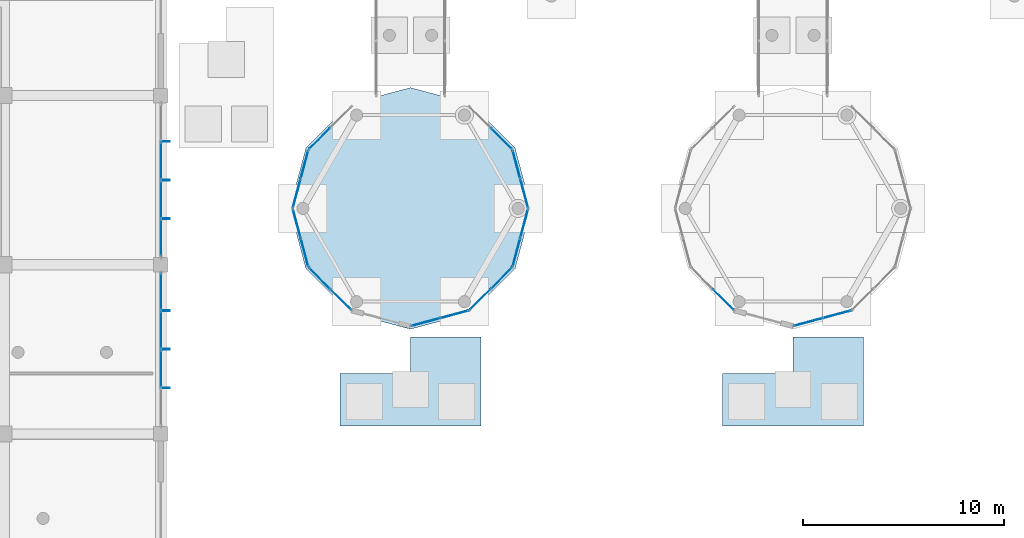
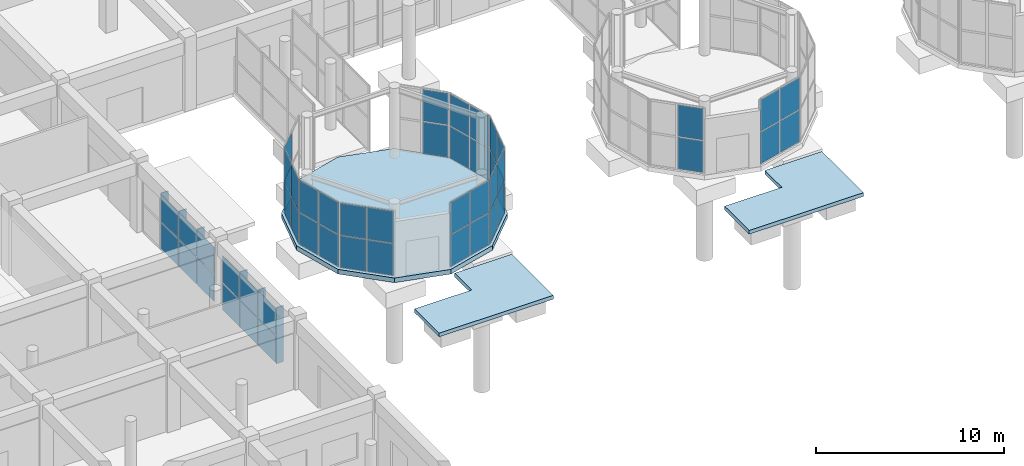
# One storey, part 110 of 139: 56 plates, 3 slabs, 13 elements without a shape of their own.
"""IFC4 building model written with IfcOpenShell, lengths in metres."""

from ifc_helpers import new_model, si_unit, direction, frame, origin, origin_2d, place, context, subcontext, project, spatial, polyline, rectangle, outline, extrude, material, layer, layer_set, type_object, element, aggregate, save


model = new_model("IFC4")

# Units and contexts
model_context = context("Model", 3, precision=1e-05, world=origin(), true_north=direction((0.0, 1.0)))
body_context = subcontext(model_context, "Body", "Model", "MODEL_VIEW")
ifc_project = project(units=[si_unit("LENGTHUNIT", "METRE"), si_unit("AREAUNIT", "SQUARE_METRE"), si_unit("VOLUMEUNIT", "CUBIC_METRE"), si_unit("PLANEANGLEUNIT", "RADIAN"), si_unit("MASSUNIT", "GRAM", prefix="KILO")], contexts=[model_context])

# Site, building, storey
site_placement = place(None, origin())
site = spatial("IfcSite", under=ifc_project, at=site_placement, CompositionType="ELEMENT")
building_placement = place(site_placement, origin())
building = spatial("IfcBuilding", under=site, at=building_placement, Name="Zizhar Promenade General Hospital", CompositionType="ELEMENT")
storey_placement = place(building_placement, origin())
storey = spatial("IfcBuildingStorey", under=building, at=storey_placement, Name="L00", CompositionType="ELEMENT", Elevation=0.0)

# Curtain wall, plates
ifc_material_1 = material(Name="Anodised aluminium 6063-T6 and low-E glass", Category="aluminium")
ifc_layer_1 = layer(ifc_material_1, 0.159912109375)
ifc_layer_set_1 = layer_set([ifc_layer_1], Name="Anodised aluminium 6063-T6 and low-E glass")
curtain_wall_type_1 = type_object("IfcCurtainWallType", Name="CW-HALL-S", PredefinedType="NOTDEFINED", material=ifc_layer_set_1)
curtain_wall_1_placement = place(storey_placement, origin())
curtain_wall_1 = element("IfcCurtainWall", 1, at=curtain_wall_1_placement, inside=storey, type_object=curtain_wall_type_1, Name="Forecourt Arrival Glazed Curtain Wall L00-2", PredefinedType="NOTDEFINED")
ifc_material_2 = material(Name="Low-E solar-control glass", Category="glass")
ifc_layer_2 = layer(ifc_material_2, 0.031982421875)
ifc_layer_set_2 = layer_set([ifc_layer_2], Name="Low-E solar-control glass")
plate_type_1 = type_object("IfcPlateType", Name="CWP-GLZ-32", PredefinedType="CURTAIN_PANEL", material=ifc_layer_set_2)
plate_1_placement = place(storey_placement, frame((132.60009765625, 23.860107421875, 0.06005859375), z_axis=(0.0, 0.0, 1.0), x_axis=(0.0, -1.0, 0.0)))
plate_1 = element("IfcPlate", 2, at=plate_1_placement, type_object=plate_type_1, Name="CW-01 panel 1.1", PredefinedType="CURTAIN_PANEL", context=body_context, shape_type="SweptSolid", body=[
    extrude(rectangle(XDim=1.800048828125, YDim=0.031982421875, at=origin_2d()), origin(), (0.0, 0.0, 1.0), 1.72509765625),
])
plate_2_placement = place(storey_placement, frame((132.60009765625, 23.860107421875, 1.844970703125), z_axis=(0.0, 0.0, 1.0), x_axis=(0.0, -1.0, 0.0)))
plate_2 = element("IfcPlate", 3, at=plate_2_placement, type_object=plate_type_1, Name="CW-01 panel 1.2", PredefinedType="CURTAIN_PANEL", context=body_context, shape_type="SweptSolid", body=[
    extrude(rectangle(XDim=1.800048828125, YDim=0.031982421875, at=origin_2d()), origin(), (0.0, 0.0, 1.0), 1.72509765625),
])
plate_3_placement = place(storey_placement, frame((132.60009765625, 21.9599609375, 0.06005859375), z_axis=(0.0, 0.0, 1.0), x_axis=(0.0, -1.0, 0.0)))
plate_3 = element("IfcPlate", 4, at=plate_3_placement, type_object=plate_type_1, Name="CW-01 panel 2.1", PredefinedType="CURTAIN_PANEL", context=body_context, shape_type="SweptSolid", body=[
    extrude(rectangle(XDim=1.840087890625, YDim=0.031982421875, at=origin_2d()), origin(), (0.0, 0.0, 1.0), 1.72509765625),
])
plate_4_placement = place(storey_placement, frame((132.60009765625, 21.9599609375, 1.844970703125), z_axis=(0.0, 0.0, 1.0), x_axis=(0.0, -1.0, 0.0)))
plate_4 = element("IfcPlate", 5, at=plate_4_placement, type_object=plate_type_1, Name="CW-01 panel 2.2", PredefinedType="CURTAIN_PANEL", context=body_context, shape_type="SweptSolid", body=[
    extrude(rectangle(XDim=1.840087890625, YDim=0.031982421875, at=origin_2d()), origin(), (0.0, 0.0, 1.0), 1.72509765625),
])
plate_5_placement = place(storey_placement, frame((132.60009765625, 20.0400390625, 0.06005859375), z_axis=(0.0, 0.0, 1.0), x_axis=(0.0, -1.0, 0.0)))
plate_5 = element("IfcPlate", 6, at=plate_5_placement, type_object=plate_type_1, Name="CW-01 panel 3.1", PredefinedType="CURTAIN_PANEL", context=body_context, shape_type="SweptSolid", body=[
    extrude(rectangle(XDim=1.840087890625, YDim=0.031982421875, at=origin_2d()), origin(), (0.0, 0.0, 1.0), 1.72509765625),
])
plate_6_placement = place(storey_placement, frame((132.60009765625, 20.0400390625, 1.844970703125), z_axis=(0.0, 0.0, 1.0), x_axis=(0.0, -1.0, 0.0)))
plate_6 = element("IfcPlate", 7, at=plate_6_placement, type_object=plate_type_1, Name="CW-01 panel 3.2", PredefinedType="CURTAIN_PANEL", context=body_context, shape_type="SweptSolid", body=[
    extrude(rectangle(XDim=1.840087890625, YDim=0.031982421875, at=origin_2d()), origin(), (0.0, 0.0, 1.0), 1.72509765625),
])
aggregate(curtain_wall_1, [plate_1, plate_2, plate_3, plate_4, plate_5, plate_6])

curtain_wall_2_placement = place(storey_placement, origin())
curtain_wall_2 = element("IfcCurtainWall", 8, at=curtain_wall_2_placement, inside=storey, type_object=curtain_wall_type_1, Name="Forecourt Arrival Glazed Curtain Wall L00-3", PredefinedType="NOTDEFINED")
plate_7_placement = place(storey_placement, frame((132.60009765625, 30.360107421875, 0.06005859375), z_axis=(0.0, 0.0, 1.0), x_axis=(0.0, -1.0, 0.0)))
plate_7 = element("IfcPlate", 9, at=plate_7_placement, type_object=plate_type_1, Name="CW-01 panel 2.1", PredefinedType="CURTAIN_PANEL", context=body_context, shape_type="SweptSolid", body=[
    extrude(rectangle(XDim=1.840087890625, YDim=0.031982421875, at=origin_2d()), origin(), (0.0, 0.0, 1.0), 1.72509765625),
])
plate_8_placement = place(storey_placement, frame((132.60009765625, 30.360107421875, 1.844970703125), z_axis=(0.0, 0.0, 1.0), x_axis=(0.0, -1.0, 0.0)))
plate_8 = element("IfcPlate", 10, at=plate_8_placement, type_object=plate_type_1, Name="CW-01 panel 2.2", PredefinedType="CURTAIN_PANEL", context=body_context, shape_type="SweptSolid", body=[
    extrude(rectangle(XDim=1.840087890625, YDim=0.031982421875, at=origin_2d()), origin(), (0.0, 0.0, 1.0), 1.72509765625),
])
plate_9_placement = place(storey_placement, frame((132.60009765625, 28.43994140625, 0.06005859375), z_axis=(0.0, 0.0, 1.0), x_axis=(0.0, -1.0, 0.0)))
plate_9 = element("IfcPlate", 11, at=plate_9_placement, type_object=plate_type_1, Name="CW-01 panel 3.1", PredefinedType="CURTAIN_PANEL", context=body_context, shape_type="SweptSolid", body=[
    extrude(rectangle(XDim=1.840087890625, YDim=0.031982421875, at=origin_2d()), origin(), (0.0, 0.0, 1.0), 1.72509765625),
])
plate_10_placement = place(storey_placement, frame((132.60009765625, 28.43994140625, 1.844970703125), z_axis=(0.0, 0.0, 1.0), x_axis=(0.0, -1.0, 0.0)))
plate_10 = element("IfcPlate", 12, at=plate_10_placement, type_object=plate_type_1, Name="CW-01 panel 3.2", PredefinedType="CURTAIN_PANEL", context=body_context, shape_type="SweptSolid", body=[
    extrude(rectangle(XDim=1.840087890625, YDim=0.031982421875, at=origin_2d()), origin(), (0.0, 0.0, 1.0), 1.72509765625),
])
plate_11_placement = place(storey_placement, frame((132.60009765625, 26.5400390625, 0.06005859375), z_axis=(0.0, 0.0, 1.0), x_axis=(0.0, -1.0, 0.0)))
plate_11 = element("IfcPlate", 13, at=plate_11_placement, type_object=plate_type_1, Name="CW-01 panel 4.1", PredefinedType="CURTAIN_PANEL", context=body_context, shape_type="SweptSolid", body=[
    extrude(rectangle(XDim=1.800048828125, YDim=0.031982421875, at=origin_2d()), origin(), (0.0, 0.0, 1.0), 1.72509765625),
])
plate_12_placement = place(storey_placement, frame((132.60009765625, 26.5400390625, 1.844970703125), z_axis=(0.0, 0.0, 1.0), x_axis=(0.0, -1.0, 0.0)))
plate_12 = element("IfcPlate", 14, at=plate_12_placement, type_object=plate_type_1, Name="CW-01 panel 4.2", PredefinedType="CURTAIN_PANEL", context=body_context, shape_type="SweptSolid", body=[
    extrude(rectangle(XDim=1.800048828125, YDim=0.031982421875, at=origin_2d()), origin(), (0.0, 0.0, 1.0), 1.72509765625),
])
aggregate(curtain_wall_2, [plate_7, plate_8, plate_9, plate_10, plate_11, plate_12])

ifc_material_3 = material(Name="Anodised aluminium 6063-T6 and low-E glass", Category="aluminium")
ifc_layer_3 = layer(ifc_material_3, 0.159912109375)
ifc_layer_set_3 = layer_set([ifc_layer_3], Name="Anodised aluminium 6063-T6 and low-E glass")
curtain_wall_type_2 = type_object("IfcCurtainWallType", Name="CW-PAV-GLZ", PredefinedType="NOTDEFINED", material=ifc_layer_set_3)
curtain_wall_3_placement = place(storey_placement, origin())
curtain_wall_3 = element("IfcCurtainWall", 15, at=curtain_wall_3_placement, inside=storey, type_object=curtain_wall_type_2, Name="Outpatient Welcome Pavilion Curved Glazing 1", PredefinedType="NOTDEFINED")
plate_13_placement = place(storey_placement, frame((150.26611328125, 30.17919921875, 0.06005859375), z_axis=(0.0, 0.0, 1.0), x_axis=(0.25883402288, -0.965921812881, 0.0)))
plate_13 = element("IfcPlate", 16, at=plate_13_placement, type_object=plate_type_1, Name="CW-14 panel 1.1", PredefinedType="CURTAIN_PANEL", context=body_context, shape_type="SweptSolid", body=[
    extrude(rectangle(XDim=1.424072265625, YDim=0.031982421875, at=origin_2d()), origin(), (0.0, 0.0, 1.0), 2.050048828125),
])
plate_14_placement = place(storey_placement, frame((150.26611328125, 30.17919921875, 2.169921875), z_axis=(0.0, 0.0, 1.0), x_axis=(0.25883402288, -0.965921812881, 0.0)))
plate_14 = element("IfcPlate", 17, at=plate_14_placement, type_object=plate_type_1, Name="CW-14 panel 1.2", PredefinedType="CURTAIN_PANEL", context=body_context, shape_type="SweptSolid", body=[
    extrude(rectangle(XDim=1.424072265625, YDim=0.031982421875, at=origin_2d()), origin(), (0.0, 0.0, 1.0), 2.050048828125),
])
plate_15_placement = place(storey_placement, frame((150.650146484375, 28.745849609375, 0.06005859375), z_axis=(0.0, 0.0, 1.0), x_axis=(0.25883402288, -0.965921812881, 0.0)))
plate_15 = element("IfcPlate", 18, at=plate_15_placement, type_object=plate_type_1, Name="CW-14 panel 2.1", PredefinedType="CURTAIN_PANEL", context=body_context, shape_type="SweptSolid", body=[
    extrude(rectangle(XDim=1.424072265625, YDim=0.031982421875, at=origin_2d()), origin(), (0.0, 0.0, 1.0), 2.050048828125),
])
plate_16_placement = place(storey_placement, frame((150.650146484375, 28.745849609375, 2.169921875), z_axis=(0.0, 0.0, 1.0), x_axis=(0.25883402288, -0.965921812881, 0.0)))
plate_16 = element("IfcPlate", 19, at=plate_16_placement, type_object=plate_type_1, Name="CW-14 panel 2.2", PredefinedType="CURTAIN_PANEL", context=body_context, shape_type="SweptSolid", body=[
    extrude(rectangle(XDim=1.424072265625, YDim=0.031982421875, at=origin_2d()), origin(), (0.0, 0.0, 1.0), 2.050048828125),
])
aggregate(curtain_wall_3, [plate_13, plate_14, plate_15, plate_16])

curtain_wall_4_placement = place(storey_placement, origin())
curtain_wall_4 = element("IfcCurtainWall", 20, at=curtain_wall_4_placement, inside=storey, type_object=curtain_wall_type_2, Name="Outpatient Welcome Pavilion Curved Glazing 2", PredefinedType="NOTDEFINED")
plate_17_placement = place(storey_placement, frame((149.520263671875, 31.470947265625, 0.06005859375), z_axis=(0.0, 0.0, 1.0), x_axis=(0.707106781187, -0.707106781187, 0.0)))
plate_17 = element("IfcPlate", 21, at=plate_17_placement, type_object=plate_type_1, Name="CW-14 panel 2.1", PredefinedType="CURTAIN_PANEL", context=body_context, shape_type="SweptSolid", body=[
    extrude(rectangle(XDim=1.424072265625, YDim=0.031982421875, at=origin_2d()), origin(), (0.0, 0.0, 1.0), 2.050048828125),
])
plate_18_placement = place(storey_placement, frame((149.520263671875, 31.470947265625, 2.169921875), z_axis=(0.0, 0.0, 1.0), x_axis=(0.707106781187, -0.707106781187, 0.0)))
plate_18 = element("IfcPlate", 22, at=plate_18_placement, type_object=plate_type_1, Name="CW-14 panel 2.2", PredefinedType="CURTAIN_PANEL", context=body_context, shape_type="SweptSolid", body=[
    extrude(rectangle(XDim=1.424072265625, YDim=0.031982421875, at=origin_2d()), origin(), (0.0, 0.0, 1.0), 2.050048828125),
])
aggregate(curtain_wall_4, [plate_17, plate_18])

curtain_wall_5_placement = place(storey_placement, origin())
curtain_wall_5 = element("IfcCurtainWall", 23, at=curtain_wall_5_placement, inside=storey, type_object=curtain_wall_type_2, Name="Outpatient Welcome Pavilion Curved Glazing 5", PredefinedType="NOTDEFINED")
plate_19_placement = place(storey_placement, frame((140.479736328125, 31.470947265625, 0.06005859375), z_axis=(0.0, 0.0, 1.0), x_axis=(0.707106781187, 0.707106781187, 0.0)))
plate_19 = element("IfcPlate", 24, at=plate_19_placement, type_object=plate_type_1, Name="CW-14 panel 1.1", PredefinedType="CURTAIN_PANEL", context=body_context, shape_type="SweptSolid", body=[
    extrude(rectangle(XDim=1.424072265625, YDim=0.031982421875, at=origin_2d()), origin(), (0.0, 0.0, 1.0), 2.050048828125),
])
plate_20_placement = place(storey_placement, frame((140.479736328125, 31.470947265625, 2.169921875), z_axis=(0.0, 0.0, 1.0), x_axis=(0.707106781187, 0.707106781187, 0.0)))
plate_20 = element("IfcPlate", 25, at=plate_20_placement, type_object=plate_type_1, Name="CW-14 panel 1.2", PredefinedType="CURTAIN_PANEL", context=body_context, shape_type="SweptSolid", body=[
    extrude(rectangle(XDim=1.424072265625, YDim=0.031982421875, at=origin_2d()), origin(), (0.0, 0.0, 1.0), 2.050048828125),
])
aggregate(curtain_wall_5, [plate_19, plate_20])

curtain_wall_6_placement = place(storey_placement, origin())
curtain_wall_6 = element("IfcCurtainWall", 26, at=curtain_wall_6_placement, inside=storey, type_object=curtain_wall_type_2, Name="Outpatient Welcome Pavilion Curved Glazing 6", PredefinedType="NOTDEFINED")
plate_21_placement = place(storey_placement, frame((139.349853515625, 28.745849609375, 0.06005859375), z_axis=(0.0, 0.0, 1.0), x_axis=(0.25883402288, 0.965921812881, 0.0)))
plate_21 = element("IfcPlate", 27, at=plate_21_placement, type_object=plate_type_1, Name="CW-14 panel 1.1", PredefinedType="CURTAIN_PANEL", context=body_context, shape_type="SweptSolid", body=[
    extrude(rectangle(XDim=1.424072265625, YDim=0.031982421875, at=origin_2d()), origin(), (0.0, 0.0, 1.0), 2.050048828125),
])
plate_22_placement = place(storey_placement, frame((139.349853515625, 28.745849609375, 2.169921875), z_axis=(0.0, 0.0, 1.0), x_axis=(0.25883402288, 0.965921812881, 0.0)))
plate_22 = element("IfcPlate", 28, at=plate_22_placement, type_object=plate_type_1, Name="CW-14 panel 1.2", PredefinedType="CURTAIN_PANEL", context=body_context, shape_type="SweptSolid", body=[
    extrude(rectangle(XDim=1.424072265625, YDim=0.031982421875, at=origin_2d()), origin(), (0.0, 0.0, 1.0), 2.050048828125),
])
plate_23_placement = place(storey_placement, frame((139.73388671875, 30.17919921875, 0.06005859375), z_axis=(0.0, 0.0, 1.0), x_axis=(0.25883402288, 0.965921812881, 0.0)))
plate_23 = element("IfcPlate", 29, at=plate_23_placement, type_object=plate_type_1, Name="CW-14 panel 2.1", PredefinedType="CURTAIN_PANEL", context=body_context, shape_type="SweptSolid", body=[
    extrude(rectangle(XDim=1.424072265625, YDim=0.031982421875, at=origin_2d()), origin(), (0.0, 0.0, 1.0), 2.050048828125),
])
plate_24_placement = place(storey_placement, frame((139.73388671875, 30.17919921875, 2.169921875), z_axis=(0.0, 0.0, 1.0), x_axis=(0.25883402288, 0.965921812881, 0.0)))
plate_24 = element("IfcPlate", 30, at=plate_24_placement, type_object=plate_type_1, Name="CW-14 panel 2.2", PredefinedType="CURTAIN_PANEL", context=body_context, shape_type="SweptSolid", body=[
    extrude(rectangle(XDim=1.424072265625, YDim=0.031982421875, at=origin_2d()), origin(), (0.0, 0.0, 1.0), 2.050048828125),
])
aggregate(curtain_wall_6, [plate_21, plate_22, plate_23, plate_24])

curtain_wall_7_placement = place(storey_placement, origin())
curtain_wall_7 = element("IfcCurtainWall", 31, at=curtain_wall_7_placement, inside=storey, type_object=curtain_wall_type_2, Name="Outpatient Welcome Pavilion Curved Glazing 7", PredefinedType="NOTDEFINED")
plate_25_placement = place(storey_placement, frame((139.73388671875, 25.82080078125, 0.06005859375), z_axis=(0.0, 0.0, 1.0), x_axis=(-0.25883402288, 0.965921812881, 0.0)))
plate_25 = element("IfcPlate", 32, at=plate_25_placement, type_object=plate_type_1, Name="CW-14 panel 1.1", PredefinedType="CURTAIN_PANEL", context=body_context, shape_type="SweptSolid", body=[
    extrude(rectangle(XDim=1.424072265625, YDim=0.031982421875, at=origin_2d()), origin(), (0.0, 0.0, 1.0), 2.050048828125),
])
plate_26_placement = place(storey_placement, frame((139.73388671875, 25.82080078125, 2.169921875), z_axis=(0.0, 0.0, 1.0), x_axis=(-0.25883402288, 0.965921812881, 0.0)))
plate_26 = element("IfcPlate", 33, at=plate_26_placement, type_object=plate_type_1, Name="CW-14 panel 1.2", PredefinedType="CURTAIN_PANEL", context=body_context, shape_type="SweptSolid", body=[
    extrude(rectangle(XDim=1.424072265625, YDim=0.031982421875, at=origin_2d()), origin(), (0.0, 0.0, 1.0), 2.050048828125),
])
plate_27_placement = place(storey_placement, frame((139.349853515625, 27.254150390625, 0.06005859375), z_axis=(0.0, 0.0, 1.0), x_axis=(-0.25883402288, 0.965921812881, 0.0)))
plate_27 = element("IfcPlate", 34, at=plate_27_placement, type_object=plate_type_1, Name="CW-14 panel 2.1", PredefinedType="CURTAIN_PANEL", context=body_context, shape_type="SweptSolid", body=[
    extrude(rectangle(XDim=1.424072265625, YDim=0.031982421875, at=origin_2d()), origin(), (0.0, 0.0, 1.0), 2.050048828125),
])
plate_28_placement = place(storey_placement, frame((139.349853515625, 27.254150390625, 2.169921875), z_axis=(0.0, 0.0, 1.0), x_axis=(-0.25883402288, 0.965921812881, 0.0)))
plate_28 = element("IfcPlate", 35, at=plate_28_placement, type_object=plate_type_1, Name="CW-14 panel 2.2", PredefinedType="CURTAIN_PANEL", context=body_context, shape_type="SweptSolid", body=[
    extrude(rectangle(XDim=1.424072265625, YDim=0.031982421875, at=origin_2d()), origin(), (0.0, 0.0, 1.0), 2.050048828125),
])
aggregate(curtain_wall_7, [plate_25, plate_26, plate_27, plate_28])

curtain_wall_8_placement = place(storey_placement, origin())
curtain_wall_8 = element("IfcCurtainWall", 36, at=curtain_wall_8_placement, inside=storey, type_object=curtain_wall_type_2, Name="Outpatient Welcome Pavilion Curved Glazing 8", PredefinedType="NOTDEFINED")
plate_29_placement = place(storey_placement, frame((141.529052734375, 23.479736328125, 0.06005859375), z_axis=(0.0, 0.0, 1.0), x_axis=(-0.707106781187, 0.707106781187, 0.0)))
plate_29 = element("IfcPlate", 37, at=plate_29_placement, type_object=plate_type_1, Name="CW-14 panel 1.1", PredefinedType="CURTAIN_PANEL", context=body_context, shape_type="SweptSolid", body=[
    extrude(rectangle(XDim=1.424072265625, YDim=0.031982421875, at=origin_2d()), origin(), (0.0, 0.0, 1.0), 2.050048828125),
])
plate_30_placement = place(storey_placement, frame((141.529052734375, 23.479736328125, 2.169921875), z_axis=(0.0, 0.0, 1.0), x_axis=(-0.707106781187, 0.707106781187, 0.0)))
plate_30 = element("IfcPlate", 38, at=plate_30_placement, type_object=plate_type_1, Name="CW-14 panel 1.2", PredefinedType="CURTAIN_PANEL", context=body_context, shape_type="SweptSolid", body=[
    extrude(rectangle(XDim=1.424072265625, YDim=0.031982421875, at=origin_2d()), origin(), (0.0, 0.0, 1.0), 2.050048828125),
])
plate_31_placement = place(storey_placement, frame((140.479736328125, 24.529052734375, 0.06005859375), z_axis=(0.0, 0.0, 1.0), x_axis=(-0.707106781187, 0.707106781187, 0.0)))
plate_31 = element("IfcPlate", 39, at=plate_31_placement, type_object=plate_type_1, Name="CW-14 panel 2.1", PredefinedType="CURTAIN_PANEL", context=body_context, shape_type="SweptSolid", body=[
    extrude(rectangle(XDim=1.424072265625, YDim=0.031982421875, at=origin_2d()), origin(), (0.0, 0.0, 1.0), 2.050048828125),
])
plate_32_placement = place(storey_placement, frame((140.479736328125, 24.529052734375, 2.169921875), z_axis=(0.0, 0.0, 1.0), x_axis=(-0.707106781187, 0.707106781187, 0.0)))
plate_32 = element("IfcPlate", 40, at=plate_32_placement, type_object=plate_type_1, Name="CW-14 panel 2.2", PredefinedType="CURTAIN_PANEL", context=body_context, shape_type="SweptSolid", body=[
    extrude(rectangle(XDim=1.424072265625, YDim=0.031982421875, at=origin_2d()), origin(), (0.0, 0.0, 1.0), 2.050048828125),
])
aggregate(curtain_wall_8, [plate_29, plate_30, plate_31, plate_32])

curtain_wall_9_placement = place(storey_placement, origin())
curtain_wall_9 = element("IfcCurtainWall", 41, at=curtain_wall_9_placement, inside=storey, type_object=curtain_wall_type_2, Name="Outpatient Welcome Pavilion Curved Glazing 10", PredefinedType="NOTDEFINED")
plate_33_placement = place(storey_placement, frame((147.17919921875, 22.73388671875, 0.06005859375), z_axis=(0.0, 0.0, 1.0), x_axis=(-0.965921812881, -0.25883402288, 0.0)))
plate_33 = element("IfcPlate", 42, at=plate_33_placement, type_object=plate_type_1, Name="CW-14 panel 1.1", PredefinedType="CURTAIN_PANEL", context=body_context, shape_type="SweptSolid", body=[
    extrude(rectangle(XDim=1.424072265625, YDim=0.031982421875, at=origin_2d()), origin(), (0.0, 0.0, 1.0), 2.050048828125),
])
plate_34_placement = place(storey_placement, frame((147.17919921875, 22.73388671875, 2.169921875), z_axis=(0.0, 0.0, 1.0), x_axis=(-0.965921812881, -0.25883402288, 0.0)))
plate_34 = element("IfcPlate", 43, at=plate_34_placement, type_object=plate_type_1, Name="CW-14 panel 1.2", PredefinedType="CURTAIN_PANEL", context=body_context, shape_type="SweptSolid", body=[
    extrude(rectangle(XDim=1.424072265625, YDim=0.031982421875, at=origin_2d()), origin(), (0.0, 0.0, 1.0), 2.050048828125),
])
plate_35_placement = place(storey_placement, frame((145.745849609375, 22.349853515625, 0.06005859375), z_axis=(0.0, 0.0, 1.0), x_axis=(-0.965921812881, -0.25883402288, 0.0)))
plate_35 = element("IfcPlate", 44, at=plate_35_placement, type_object=plate_type_1, Name="CW-14 panel 2.1", PredefinedType="CURTAIN_PANEL", context=body_context, shape_type="SweptSolid", body=[
    extrude(rectangle(XDim=1.424072265625, YDim=0.031982421875, at=origin_2d()), origin(), (0.0, 0.0, 1.0), 2.050048828125),
])
plate_36_placement = place(storey_placement, frame((145.745849609375, 22.349853515625, 2.169921875), z_axis=(0.0, 0.0, 1.0), x_axis=(-0.965921812881, -0.25883402288, 0.0)))
plate_36 = element("IfcPlate", 45, at=plate_36_placement, type_object=plate_type_1, Name="CW-14 panel 2.2", PredefinedType="CURTAIN_PANEL", context=body_context, shape_type="SweptSolid", body=[
    extrude(rectangle(XDim=1.424072265625, YDim=0.031982421875, at=origin_2d()), origin(), (0.0, 0.0, 1.0), 2.050048828125),
])
aggregate(curtain_wall_9, [plate_33, plate_34, plate_35, plate_36])

curtain_wall_10_placement = place(storey_placement, origin())
curtain_wall_10 = element("IfcCurtainWall", 46, at=curtain_wall_10_placement, inside=storey, type_object=curtain_wall_type_2, Name="Outpatient Welcome Pavilion Curved Glazing 11", PredefinedType="NOTDEFINED")
plate_37_placement = place(storey_placement, frame((149.520263671875, 24.529052734375, 0.06005859375), z_axis=(0.0, 0.0, 1.0), x_axis=(-0.707106781187, -0.707106781187, 0.0)))
plate_37 = element("IfcPlate", 47, at=plate_37_placement, type_object=plate_type_1, Name="CW-14 panel 1.1", PredefinedType="CURTAIN_PANEL", context=body_context, shape_type="SweptSolid", body=[
    extrude(rectangle(XDim=1.424072265625, YDim=0.031982421875, at=origin_2d()), origin(), (0.0, 0.0, 1.0), 2.050048828125),
])
plate_38_placement = place(storey_placement, frame((149.520263671875, 24.529052734375, 2.169921875), z_axis=(0.0, 0.0, 1.0), x_axis=(-0.707106781187, -0.707106781187, 0.0)))
plate_38 = element("IfcPlate", 48, at=plate_38_placement, type_object=plate_type_1, Name="CW-14 panel 1.2", PredefinedType="CURTAIN_PANEL", context=body_context, shape_type="SweptSolid", body=[
    extrude(rectangle(XDim=1.424072265625, YDim=0.031982421875, at=origin_2d()), origin(), (0.0, 0.0, 1.0), 2.050048828125),
])
plate_39_placement = place(storey_placement, frame((148.470947265625, 23.479736328125, 0.06005859375), z_axis=(0.0, 0.0, 1.0), x_axis=(-0.707106781187, -0.707106781187, 0.0)))
plate_39 = element("IfcPlate", 49, at=plate_39_placement, type_object=plate_type_1, Name="CW-14 panel 2.1", PredefinedType="CURTAIN_PANEL", context=body_context, shape_type="SweptSolid", body=[
    extrude(rectangle(XDim=1.424072265625, YDim=0.031982421875, at=origin_2d()), origin(), (0.0, 0.0, 1.0), 2.050048828125),
])
plate_40_placement = place(storey_placement, frame((148.470947265625, 23.479736328125, 2.169921875), z_axis=(0.0, 0.0, 1.0), x_axis=(-0.707106781187, -0.707106781187, 0.0)))
plate_40 = element("IfcPlate", 50, at=plate_40_placement, type_object=plate_type_1, Name="CW-14 panel 2.2", PredefinedType="CURTAIN_PANEL", context=body_context, shape_type="SweptSolid", body=[
    extrude(rectangle(XDim=1.424072265625, YDim=0.031982421875, at=origin_2d()), origin(), (0.0, 0.0, 1.0), 2.050048828125),
])
aggregate(curtain_wall_10, [plate_37, plate_38, plate_39, plate_40])

curtain_wall_11_placement = place(storey_placement, origin())
curtain_wall_11 = element("IfcCurtainWall", 51, at=curtain_wall_11_placement, inside=storey, type_object=curtain_wall_type_2, Name="Outpatient Welcome Pavilion Curved Glazing 12", PredefinedType="NOTDEFINED")
plate_41_placement = place(storey_placement, frame((150.650146484375, 27.254150390625, 0.06005859375), z_axis=(0.0, 0.0, 1.0), x_axis=(-0.25883402288, -0.965921812881, 0.0)))
plate_41 = element("IfcPlate", 52, at=plate_41_placement, type_object=plate_type_1, Name="CW-14 panel 1.1", PredefinedType="CURTAIN_PANEL", context=body_context, shape_type="SweptSolid", body=[
    extrude(rectangle(XDim=1.424072265625, YDim=0.031982421875, at=origin_2d()), origin(), (0.0, 0.0, 1.0), 2.050048828125),
])
plate_42_placement = place(storey_placement, frame((150.650146484375, 27.254150390625, 2.169921875), z_axis=(0.0, 0.0, 1.0), x_axis=(-0.25883402288, -0.965921812881, 0.0)))
plate_42 = element("IfcPlate", 53, at=plate_42_placement, type_object=plate_type_1, Name="CW-14 panel 1.2", PredefinedType="CURTAIN_PANEL", context=body_context, shape_type="SweptSolid", body=[
    extrude(rectangle(XDim=1.424072265625, YDim=0.031982421875, at=origin_2d()), origin(), (0.0, 0.0, 1.0), 2.050048828125),
])
plate_43_placement = place(storey_placement, frame((150.26611328125, 25.82080078125, 0.06005859375), z_axis=(0.0, 0.0, 1.0), x_axis=(-0.25883402288, -0.965921812881, 0.0)))
plate_43 = element("IfcPlate", 54, at=plate_43_placement, type_object=plate_type_1, Name="CW-14 panel 2.1", PredefinedType="CURTAIN_PANEL", context=body_context, shape_type="SweptSolid", body=[
    extrude(rectangle(XDim=1.424072265625, YDim=0.031982421875, at=origin_2d()), origin(), (0.0, 0.0, 1.0), 2.050048828125),
])
plate_44_placement = place(storey_placement, frame((150.26611328125, 25.82080078125, 2.169921875), z_axis=(0.0, 0.0, 1.0), x_axis=(-0.25883402288, -0.965921812881, 0.0)))
plate_44 = element("IfcPlate", 55, at=plate_44_placement, type_object=plate_type_1, Name="CW-14 panel 2.2", PredefinedType="CURTAIN_PANEL", context=body_context, shape_type="SweptSolid", body=[
    extrude(rectangle(XDim=1.424072265625, YDim=0.031982421875, at=origin_2d()), origin(), (0.0, 0.0, 1.0), 2.050048828125),
])
aggregate(curtain_wall_11, [plate_41, plate_42, plate_43, plate_44])

curtain_wall_12_placement = place(storey_placement, origin())
curtain_wall_12 = element("IfcCurtainWall", 56, at=curtain_wall_12_placement, inside=storey, type_object=curtain_wall_type_2, Name="Pharmacy Collection Pavilion Curved Glazing 8", PredefinedType="NOTDEFINED")
plate_45_placement = place(storey_placement, frame((160.529052734375, 23.479736328125, 0.06005859375), z_axis=(0.0, 0.0, 1.0), x_axis=(-0.707106781187, 0.707106781187, 0.0)))
plate_45 = element("IfcPlate", 57, at=plate_45_placement, type_object=plate_type_1, Name="CW-14 panel 1.1", PredefinedType="CURTAIN_PANEL", context=body_context, shape_type="SweptSolid", body=[
    extrude(rectangle(XDim=1.424072265625, YDim=0.031982421875, at=origin_2d()), origin(), (0.0, 0.0, 1.0), 2.050048828125),
])
plate_46_placement = place(storey_placement, frame((160.529052734375, 23.479736328125, 2.169921875), z_axis=(0.0, 0.0, 1.0), x_axis=(-0.707106781187, 0.707106781187, 0.0)))
plate_46 = element("IfcPlate", 58, at=plate_46_placement, type_object=plate_type_1, Name="CW-14 panel 1.2", PredefinedType="CURTAIN_PANEL", context=body_context, shape_type="SweptSolid", body=[
    extrude(rectangle(XDim=1.424072265625, YDim=0.031982421875, at=origin_2d()), origin(), (0.0, 0.0, 1.0), 2.050048828125),
])
aggregate(curtain_wall_12, [plate_45, plate_46])

curtain_wall_13_placement = place(storey_placement, origin())
curtain_wall_13 = element("IfcCurtainWall", 59, at=curtain_wall_13_placement, inside=storey, type_object=curtain_wall_type_2, Name="Pharmacy Collection Pavilion Curved Glazing 10", PredefinedType="NOTDEFINED")
plate_47_placement = place(storey_placement, frame((166.17919921875, 22.73388671875, 0.06005859375), z_axis=(0.0, 0.0, 1.0), x_axis=(-0.965921812881, -0.25883402288, 0.0)))
plate_47 = element("IfcPlate", 60, at=plate_47_placement, type_object=plate_type_1, Name="CW-14 panel 1.1", PredefinedType="CURTAIN_PANEL", context=body_context, shape_type="SweptSolid", body=[
    extrude(rectangle(XDim=1.424072265625, YDim=0.031982421875, at=origin_2d()), origin(), (0.0, 0.0, 1.0), 2.050048828125),
])
plate_48_placement = place(storey_placement, frame((166.17919921875, 22.73388671875, 2.169921875), z_axis=(0.0, 0.0, 1.0), x_axis=(-0.965921812881, -0.25883402288, 0.0)))
plate_48 = element("IfcPlate", 61, at=plate_48_placement, type_object=plate_type_1, Name="CW-14 panel 1.2", PredefinedType="CURTAIN_PANEL", context=body_context, shape_type="SweptSolid", body=[
    extrude(rectangle(XDim=1.424072265625, YDim=0.031982421875, at=origin_2d()), origin(), (0.0, 0.0, 1.0), 2.050048828125),
])
plate_49_placement = place(storey_placement, frame((164.745849609375, 22.349853515625, 0.06005859375), z_axis=(0.0, 0.0, 1.0), x_axis=(-0.965921812881, -0.25883402288, 0.0)))
plate_49 = element("IfcPlate", 62, at=plate_49_placement, type_object=plate_type_1, Name="CW-14 panel 2.1", PredefinedType="CURTAIN_PANEL", context=body_context, shape_type="SweptSolid", body=[
    extrude(rectangle(XDim=1.424072265625, YDim=0.031982421875, at=origin_2d()), origin(), (0.0, 0.0, 1.0), 2.050048828125),
])
plate_50_placement = place(storey_placement, frame((164.745849609375, 22.349853515625, 2.169921875), z_axis=(0.0, 0.0, 1.0), x_axis=(-0.965921812881, -0.25883402288, 0.0)))
plate_50 = element("IfcPlate", 63, at=plate_50_placement, type_object=plate_type_1, Name="CW-14 panel 2.2", PredefinedType="CURTAIN_PANEL", context=body_context, shape_type="SweptSolid", body=[
    extrude(rectangle(XDim=1.424072265625, YDim=0.031982421875, at=origin_2d()), origin(), (0.0, 0.0, 1.0), 2.050048828125),
])
aggregate(curtain_wall_13, [plate_47, plate_48, plate_49, plate_50])

# Plates
ifc_material_4 = material(Name="Anodised aluminium 6063-T6", Category="aluminium")
ifc_layer_4 = layer(ifc_material_4, 0.0400390625)
ifc_layer_set_4 = layer_set([ifc_layer_4], Name="Anodised aluminium 6063-T6")
plate_type_2 = type_object("IfcPlateType", Name="FIN-ALU-450", PredefinedType="USERDEFINED", material=ifc_layer_set_4)
plate_51_placement = place(storey_placement, origin())
element("IfcPlate", 64, at=plate_51_placement, inside=storey, type_object=plate_type_2, Name="Forecourt Arrival Glazed Curtain Wall L00-2 Solar Fin 1", ObjectType="SOLAR_SHADE", PredefinedType="USERDEFINED", context=body_context, shape_type="SweptSolid", body=[
    extrude(outline(polyline([(132.60009765625, 22.93994140625), (132.60009765625, 22.89990234375), (133.050048828125, 22.89990234375), (133.050048828125, 22.93994140625), (132.60009765625, 22.93994140625)])), origin(), (0.0, 0.0, 1.0), 3.6298828125),
])
plate_52_placement = place(storey_placement, origin())
element("IfcPlate", 65, at=plate_52_placement, inside=storey, type_object=plate_type_2, Name="Forecourt Arrival Glazed Curtain Wall L00-2 Solar Fin 2", ObjectType="SOLAR_SHADE", PredefinedType="USERDEFINED", context=body_context, shape_type="SweptSolid", body=[
    extrude(outline(polyline([(132.60009765625, 21.02001953125), (132.60009765625, 20.97998046875), (133.050048828125, 20.97998046875), (133.050048828125, 21.02001953125), (132.60009765625, 21.02001953125)])), origin(), (0.0, 0.0, 1.0), 3.6298828125),
])
plate_53_placement = place(storey_placement, origin())
element("IfcPlate", 66, at=plate_53_placement, inside=storey, type_object=plate_type_2, Name="Forecourt Arrival Glazed Curtain Wall L00-2 Solar Fin 3", ObjectType="SOLAR_SHADE", PredefinedType="USERDEFINED", context=body_context, shape_type="SweptSolid", body=[
    extrude(outline(polyline([(132.60009765625, 19.10009765625), (132.60009765625, 19.06005859375), (133.050048828125, 19.06005859375), (133.050048828125, 19.10009765625), (132.60009765625, 19.10009765625)])), origin(), (0.0, 0.0, 1.0), 3.6298828125),
])
plate_54_placement = place(storey_placement, origin())
element("IfcPlate", 67, at=plate_54_placement, inside=storey, type_object=plate_type_2, Name="Forecourt Arrival Glazed Curtain Wall L00-3 Solar Fin 1", ObjectType="SOLAR_SHADE", PredefinedType="USERDEFINED", context=body_context, shape_type="SweptSolid", body=[
    extrude(outline(polyline([(132.60009765625, 31.340087890625), (132.60009765625, 31.300048828125), (133.050048828125, 31.300048828125), (133.050048828125, 31.340087890625), (132.60009765625, 31.340087890625)])), origin(), (0.0, 0.0, 1.0), 3.6298828125),
])
plate_55_placement = place(storey_placement, origin())
element("IfcPlate", 68, at=plate_55_placement, inside=storey, type_object=plate_type_2, Name="Forecourt Arrival Glazed Curtain Wall L00-3 Solar Fin 2", ObjectType="SOLAR_SHADE", PredefinedType="USERDEFINED", context=body_context, shape_type="SweptSolid", body=[
    extrude(outline(polyline([(132.60009765625, 29.419921875), (132.60009765625, 29.3798828125), (133.050048828125, 29.3798828125), (133.050048828125, 29.419921875), (132.60009765625, 29.419921875)])), origin(), (0.0, 0.0, 1.0), 3.6298828125),
])
plate_56_placement = place(storey_placement, origin())
element("IfcPlate", 69, at=plate_56_placement, inside=storey, type_object=plate_type_2, Name="Forecourt Arrival Glazed Curtain Wall L00-3 Solar Fin 3", ObjectType="SOLAR_SHADE", PredefinedType="USERDEFINED", context=body_context, shape_type="SweptSolid", body=[
    extrude(outline(polyline([(132.60009765625, 27.5), (132.60009765625, 27.4599609375), (133.050048828125, 27.4599609375), (133.050048828125, 27.5), (132.60009765625, 27.5)])), origin(), (0.0, 0.0, 1.0), 3.6298828125),
])

# Slabs
ifc_material_5 = material(Name="Concrete C35/45", Category="concrete")
ifc_layer_5 = layer(ifc_material_5, 0.239990234375)
ifc_layer_set_5 = layer_set([ifc_layer_5], Name="Concrete C35/45")
slab_type_1 = type_object("IfcSlabType", Name="SLB-APPR-240", PredefinedType="USERDEFINED", material=ifc_layer_set_5)
slab_1_placement = place(storey_placement, frame((0.0, 0.0, -0.239990234375)))
element("IfcSlab", 70, at=slab_1_placement, inside=storey, type_object=slab_type_1, Name="Outpatient Welcome Pavilion Approach Slab", ObjectType="APPROACH_SLAB", PredefinedType="USERDEFINED", context=body_context, shape_type="SweptSolid", body=[
    extrude(outline(polyline([(141.5, 17.199951171875), (148.5, 17.199951171875), (148.5, 21.60009765625), (145.0, 21.60009765625), (145.0, 19.800048828125), (141.5, 19.800048828125), (141.5, 17.199951171875)])), origin(), (0.0, 0.0, 1.0), 0.239990234375),
])
slab_2_placement = place(storey_placement, frame((0.0, 0.0, -0.239990234375)))
element("IfcSlab", 71, at=slab_2_placement, inside=storey, type_object=slab_type_1, Name="Pharmacy Pavilion Approach Slab", ObjectType="APPROACH_SLAB", PredefinedType="USERDEFINED", context=body_context, shape_type="SweptSolid", body=[
    extrude(outline(polyline([(160.5, 17.199951171875), (167.5, 17.199951171875), (167.5, 21.60009765625), (164.0, 21.60009765625), (164.0, 19.800048828125), (160.5, 19.800048828125), (160.5, 17.199951171875)])), origin(), (0.0, 0.0, 1.0), 0.239990234375),
])
ifc_material_6 = material(Name="Concrete C35/45", Category="concrete")
ifc_layer_6 = layer(ifc_material_6, 0.300048828125)
ifc_layer_set_6 = layer_set([ifc_layer_6], Name="Concrete C35/45")
slab_type_2 = type_object("IfcSlabType", Name="SLB-FLR-300", PredefinedType="FLOOR", material=ifc_layer_set_6)
slab_3_placement = place(storey_placement, frame((0.0, 0.0, -0.300048828125)))
element("IfcSlab", 72, at=slab_3_placement, inside=storey, type_object=slab_type_2, Name="Outpatient Welcome Pavilion Floor Slab", PredefinedType="FLOOR", context=body_context, shape_type="SweptSolid", body=[
    extrude(outline(polyline([(151.0, 28.0), (150.1962890625, 31.0), (148.0, 33.1962890625), (145.0, 34.0), (142.0, 33.1962890625), (139.8037109375, 31.0), (139.0, 28.0), (139.8037109375, 25.0), (142.0, 22.8037109375), (145.0, 22.0), (148.0, 22.8037109375), (150.1962890625, 25.0), (151.0, 28.0)])), origin(), (0.0, 0.0, 1.0), 0.300048828125),
])

save(model, "model.ifc")
